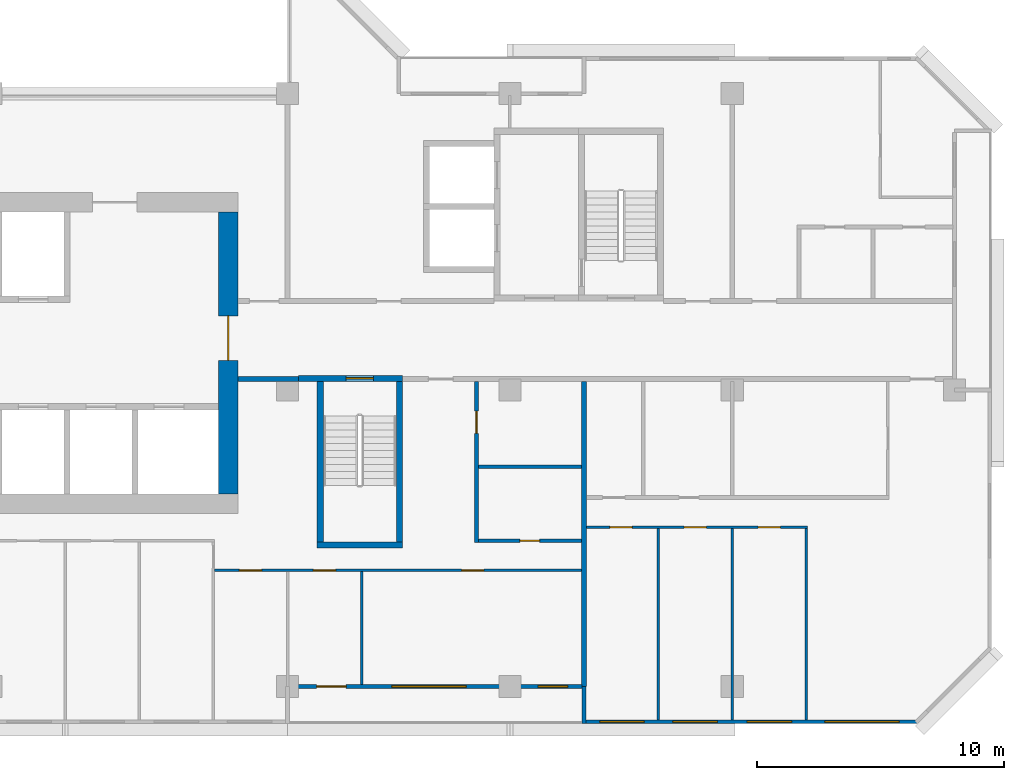
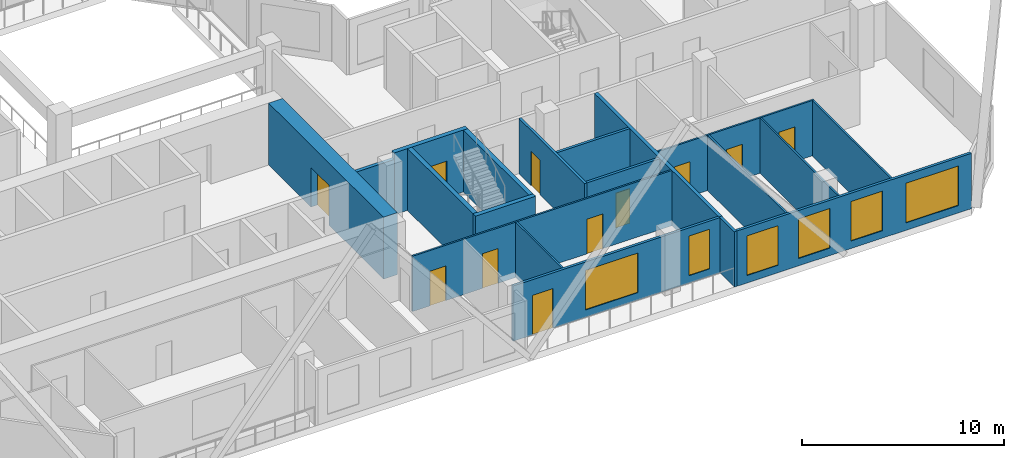
# One storey, part 6 of 15: 19 walls, 11 doors, 6 windows, 17 openings.
"""IFC4 building model written with IfcOpenShell, lengths in metres."""

from ifc_helpers import new_model, si_unit, direction, frame, frame_2d, origin, place, context, subcontext, project, spatial, rectangle, extrude, material, layer, layer_set, type_object, element, fill, save


model = new_model("IFC4")

# Units and contexts
model_context = context("Model", 3, precision=1e-05, world=origin(), true_north=direction((0.0, 1.0)))
body_context = subcontext(model_context, "Body", "Model", "MODEL_VIEW")
ifc_project = project(units=[si_unit("LENGTHUNIT", "METRE"), si_unit("AREAUNIT", "SQUARE_METRE"), si_unit("VOLUMEUNIT", "CUBIC_METRE"), si_unit("PLANEANGLEUNIT", "RADIAN"), si_unit("MASSUNIT", "GRAM", prefix="KILO")], contexts=[model_context])

# Site, building, storey
site_placement = place(None, origin())
site = spatial("IfcSite", under=ifc_project, at=site_placement, CompositionType="ELEMENT")
building_placement = place(site_placement, origin())
building = spatial("IfcBuilding", under=site, at=building_placement, Name="Chenar Terraces", CompositionType="ELEMENT")
storey_placement = place(building_placement, frame((0.0, 0.0, 194.89990234375)))
storey = spatial("IfcBuildingStorey", under=building, at=storey_placement, Name="L45", CompositionType="ELEMENT", Elevation=194.89990234375)

# Wall
ifc_material_1 = material(Name="Concrete C60/75", Category="concrete")
ifc_layer_1 = layer(ifc_material_1, 0.25)
ifc_layer_set_1 = layer_set([ifc_layer_1], Name="Concrete C60/75")
wall_type_1 = type_object("IfcWallType", Name="Core wall 250 Concrete C60/75", PredefinedType="SHEAR", material=ifc_layer_set_1)
wall_1_placement = place(storey_placement, frame((37.199951171875, 5.72509765625, 0.0), z_axis=(0.0, 0.0, 1.0), x_axis=(1.0, 0.0, 0.0)))
element("IfcWall", 1, at=wall_1_placement, inside=storey, type_object=wall_type_1, Name="Core wall ST2_S L45", PredefinedType="SHEAR", context=body_context, shape_type="SweptSolid", body=[
    extrude(rectangle(XDim=3.449951171875, YDim=0.25, at=frame_2d((1.72509765625, 0.0))), origin(), (0.0, 0.0, 1.0), 3.75),
])

# Wall, opening, door
wall_2_placement = place(storey_placement, frame((36.449951171875, 12.47509765625, 0.0), z_axis=(0.0, 0.0, 1.0), x_axis=(1.0, 0.0, 0.0)))
wall_2 = element("IfcWall", 2, at=wall_2_placement, inside=storey, type_object=wall_type_1, Name="Core wall ST2_N L45", PredefinedType="SHEAR", context=body_context, shape_type="SweptSolid", body=[
    extrude(rectangle(XDim=4.199951171875, YDim=0.25, at=frame_2d((2.10009765625, 0.0))), origin(), (0.0, 0.0, 1.0), 3.75),
])
opening_1_placement = place(wall_2_placement, frame((1.925048828125, 0.0, 0.0)))
opening_1 = element("IfcOpeningElement", 3, at=opening_1_placement, cuts=wall_2, Name="Opening DL45-C7", PredefinedType="OPENING", context=body_context, shape_type="SweptSolid", body=[
    extrude(rectangle(XDim=1.10009765625, YDim=2.199951171875, at=frame_2d((0.550048828125, 1.10009765625))), frame((0.0, 0.135009765625, 0.0), z_axis=(0.0, -1.0, 0.0), x_axis=(1.0, 0.0, 0.0)), (0.0, 0.0, 1.0), 0.27001953125),
])
ifc_material_2 = material(Name="Steel-framed fire-resisting door leaf", Category="steel")
door_type_1 = type_object("IfcDoorType", Name="Stair fire door FD60 1100 x 2200", OperationType="SINGLE_SWING_LEFT", PredefinedType="DOOR", material=ifc_material_2)
door_1_placement = place(opening_1_placement, frame((1.10009765625, 0.0, 0.0), z_axis=(0.0, 0.0, 1.0), x_axis=(-1.0, 0.0, 0.0)))
door_1 = element("IfcDoor", 4, at=door_1_placement, inside=storey, type_object=door_type_1, Name="Stair door DL45-C7", OperationType="SINGLE_SWING_RIGHT", OverallHeight=2.199951171875, OverallWidth=1.10009765625, PredefinedType="DOOR", context=body_context, shape_type="SweptSolid", body=[
    extrude(rectangle(XDim=1.10009765625, YDim=2.199951171875, at=frame_2d((0.550048828125, 1.10009765625))), frame((0.0, 0.02490234375, 0.0), z_axis=(0.0, -1.0, 0.0), x_axis=(1.0, 0.0, 0.0)), (0.0, 0.0, 1.0), 0.050048828125),
])
fill(opening_1, door_1)

# Walls
for number, where, z_axis, x_axis, name in (
    (5, (37.324951171875, 5.85009765625, 0.0), (0.0, 0.0, 1.0), (0.0, 1.0, 0.0), "Core wall ST2_W L45"),
    (6, (40.52490234375, 5.85009765625, 0.0), (0.0, 0.0, 1.0), (0.0, 1.0, 0.0), "Core wall ST2_E L45"),
):
    element("IfcWall", number, at=place(storey_placement, frame(where, z_axis=z_axis, x_axis=x_axis)), inside=storey, type_object=wall_type_1, Name=name, PredefinedType="SHEAR", context=body_context, shape_type="SweptSolid", body=[
        extrude(rectangle(XDim=6.5, YDim=0.25, at=frame_2d((3.25, 0.0))), origin(), (0.0, 0.0, 1.0), 3.75),
    ])

# Wall, opening, door
ifc_material_3 = material(Name="Concrete C60/75", Category="concrete")
ifc_layer_2 = layer(ifc_material_3, 0.800048828125)
ifc_layer_set_2 = layer_set([ifc_layer_2], Name="Concrete C60/75")
wall_type_2 = type_object("IfcWallType", Name="Core wall 800 Concrete C60/75", PredefinedType="SHEAR", material=ifc_layer_set_2)
wall_3_placement = place(storey_placement, frame((33.60009765625, 7.800048828125, 0.0), z_axis=(0.0, 0.0, 1.0), x_axis=(0.0, 1.0, 0.0)))
wall_3 = element("IfcWall", 7, at=wall_3_placement, inside=storey, type_object=wall_type_2, Name="Core wall E L45", PredefinedType="SHEAR", context=body_context, shape_type="SweptSolid", body=[
    extrude(rectangle(XDim=11.39990234375, YDim=0.800048828125, at=frame_2d((5.699951171875, 0.0))), origin(), (0.0, 0.0, 1.0), 3.75),
])
opening_2_placement = place(wall_3_placement, frame((5.39990234375, 0.0, 0.0)))
opening_2 = element("IfcOpeningElement", 8, at=opening_2_placement, cuts=wall_3, Name="Opening DL45-C1", PredefinedType="OPENING", context=body_context, shape_type="SweptSolid", body=[
    extrude(rectangle(XDim=1.800048828125, YDim=2.39990234375, at=frame_2d((0.89990234375, 1.199951171875))), frame((0.0, 0.409912109375, 0.0), z_axis=(0.0, -1.0, 0.0), x_axis=(1.0, 0.0, 0.0)), (0.0, 0.0, 1.0), 0.820068359375),
])
ifc_material_4 = material(Name="Steel-framed fire-resisting door leaf", Category="steel")
door_type_2 = type_object("IfcDoorType", Name="Core entrance double fire door FD60 1800 x 2400", OperationType="DOUBLE_DOOR_SINGLE_SWING", PredefinedType="DOOR", material=ifc_material_4)
door_2_placement = place(opening_2_placement, origin())
door_2 = element("IfcDoor", 9, at=door_2_placement, inside=storey, type_object=door_type_2, Name="Core door DL45-C1", OperationType="DOUBLE_DOOR_SINGLE_SWING", OverallHeight=2.39990234375, OverallWidth=1.800048828125, PredefinedType="DOOR", context=body_context, shape_type="SweptSolid", body=[
    extrude(rectangle(XDim=1.800048828125, YDim=2.39990234375, at=frame_2d((0.89990234375, 1.199951171875))), frame((0.0, 0.02490234375, 0.0), z_axis=(0.0, -1.0, 0.0), x_axis=(1.0, 0.0, 0.0)), (0.0, 0.0, 1.0), 0.050048828125),
])
fill(opening_2, door_2)

# Wall
ifc_material_5 = material(Name="Gypsum board on steel studs with fire boards", Category="steel")
ifc_layer_3 = layer(ifc_material_5, 0.199951171875)
ifc_layer_set_3 = layer_set([ifc_layer_3], Name="Gypsum board on steel studs with fire boards")
wall_type_3 = type_object("IfcWallType", Name="Corridor wall 200", PredefinedType="PARTITIONING", material=ifc_layer_set_3)
wall_4_placement = place(storey_placement, frame((34.0, 12.449951171875, 0.0), z_axis=(0.0, 0.0, 1.0), x_axis=(1.0, 0.0, 0.0)))
element("IfcWall", 10, at=wall_4_placement, inside=storey, type_object=wall_type_3, Name="Partition L45-064", PredefinedType="PARTITIONING", context=body_context, shape_type="SweptSolid", body=[
    extrude(rectangle(XDim=2.450927734375, YDim=0.199951171875, at=frame_2d((1.2255859375, 0.0))), origin(), (0.0, 0.0, 1.0), 3.35009765625),
])

# Wall, openings, windows
ifc_material_6 = material(Name="Aluminium framed glazing", Category="aluminium")
ifc_layer_4 = layer(ifc_material_6, 0.14990234375)
ifc_layer_set_4 = layer_set([ifc_layer_4], Name="Aluminium framed glazing")
wall_type_4 = type_object("IfcWallType", Name="Glazed flush facade wall 150", PredefinedType="SOLIDWALL", material=ifc_layer_set_4)
wall_5_placement = place(storey_placement, frame((48.074951171875, -1.425048828125, 0.0), z_axis=(0.0, 0.0, 1.0), x_axis=(1.0, 0.0, 0.0)))
wall_5 = element("IfcWall", 11, at=wall_5_placement, inside=storey, type_object=wall_type_4, Name="Glazed flush facade wall", PredefinedType="SOLIDWALL", context=body_context, shape_type="SweptSolid", body=[
    extrude(rectangle(XDim=13.425048828125, YDim=0.14990234375, at=frame_2d((6.71240234375, 0.0))), origin(), (0.0, 0.0, 1.0), 3.35009765625),
])
opening_3_placement = place(wall_5_placement, frame((0.5625, 0.0, 0.449951171875)))
opening_3 = element("IfcOpeningElement", 12, at=opening_3_placement, cuts=wall_5, Name="Opening W180x240", PredefinedType="OPENING", context=body_context, shape_type="SweptSolid", body=[
    extrude(rectangle(XDim=1.800048828125, YDim=2.39990234375, at=frame_2d((0.89990234375, 1.199951171875))), frame((0.0, 0.0849609375, 0.0), z_axis=(0.0, -1.0, 0.0), x_axis=(1.0, 0.0, 0.0)), (0.0, 0.0, 1.0), 0.169921875),
])
opening_4_placement = place(wall_5_placement, frame((3.52490234375, 0.0, 0.449951171875)))
opening_4 = element("IfcOpeningElement", 13, at=opening_4_placement, cuts=wall_5, Name="Opening W180x240", PredefinedType="OPENING", context=body_context, shape_type="SweptSolid", body=[
    extrude(rectangle(XDim=1.800048828125, YDim=2.39990234375, at=frame_2d((0.89990234375, 1.199951171875))), frame((0.0, 0.0849609375, 0.0), z_axis=(0.0, -1.0, 0.0), x_axis=(1.0, 0.0, 0.0)), (0.0, 0.0, 1.0), 0.169921875),
])
opening_5_placement = place(wall_5_placement, frame((6.52490234375, 0.0, 0.449951171875)))
opening_5 = element("IfcOpeningElement", 14, at=opening_5_placement, cuts=wall_5, Name="Opening W180x240", PredefinedType="OPENING", context=body_context, shape_type="SweptSolid", body=[
    extrude(rectangle(XDim=1.800048828125, YDim=2.39990234375, at=frame_2d((0.89990234375, 1.199951171875))), frame((0.0, 0.0849609375, 0.0), z_axis=(0.0, -1.0, 0.0), x_axis=(1.0, 0.0, 0.0)), (0.0, 0.0, 1.0), 0.169921875),
])
opening_6_placement = place(wall_5_placement, frame((9.675048828125, 0.0, 0.449951171875)))
opening_6 = element("IfcOpeningElement", 15, at=opening_6_placement, cuts=wall_5, Name="Opening W300x240", PredefinedType="OPENING", context=body_context, shape_type="SweptSolid", body=[
    extrude(rectangle(XDim=3.0, YDim=2.39990234375, at=frame_2d((1.5, 1.199951171875))), frame((0.0, 0.0849609375, 0.0), z_axis=(0.0, -1.0, 0.0), x_axis=(1.0, 0.0, 0.0)), (0.0, 0.0, 1.0), 0.169921875),
])
ifc_material_7 = material(Name="Low emissivity double glazing, aluminium frame", Category="aluminium")
window_type_1 = type_object("IfcWindowType", Name="Fixed light 1800 x 2400", PartitioningType="SINGLE_PANEL", PredefinedType="WINDOW", material=ifc_material_7)
window_1_placement = place(opening_3_placement, origin())
window_1 = element("IfcWindow", 16, at=window_1_placement, inside=storey, type_object=window_type_1, Name="Window", OverallHeight=2.39990234375, OverallWidth=1.800048828125, PartitioningType="SINGLE_PANEL", PredefinedType="WINDOW", context=body_context, shape_type="SweptSolid", body=[
    extrude(rectangle(XDim=1.800048828125, YDim=2.39990234375, at=frame_2d((0.89990234375, 1.199951171875))), frame((0.0, 0.030029296875, 0.0), z_axis=(0.0, -1.0, 0.0), x_axis=(1.0, 0.0, 0.0)), (0.0, 0.0, 1.0), 0.06005859375),
])
fill(opening_3, window_1)
window_2_placement = place(opening_4_placement, origin())
window_2 = element("IfcWindow", 17, at=window_2_placement, inside=storey, type_object=window_type_1, Name="Window", OverallHeight=2.39990234375, OverallWidth=1.800048828125, PartitioningType="SINGLE_PANEL", PredefinedType="WINDOW", context=body_context, shape_type="SweptSolid", body=[
    extrude(rectangle(XDim=1.800048828125, YDim=2.39990234375, at=frame_2d((0.89990234375, 1.199951171875))), frame((0.0, 0.030029296875, 0.0), z_axis=(0.0, -1.0, 0.0), x_axis=(1.0, 0.0, 0.0)), (0.0, 0.0, 1.0), 0.06005859375),
])
fill(opening_4, window_2)
window_3_placement = place(opening_5_placement, origin())
window_3 = element("IfcWindow", 18, at=window_3_placement, inside=storey, type_object=window_type_1, Name="Window", OverallHeight=2.39990234375, OverallWidth=1.800048828125, PartitioningType="SINGLE_PANEL", PredefinedType="WINDOW", context=body_context, shape_type="SweptSolid", body=[
    extrude(rectangle(XDim=1.800048828125, YDim=2.39990234375, at=frame_2d((0.89990234375, 1.199951171875))), frame((0.0, 0.030029296875, 0.0), z_axis=(0.0, -1.0, 0.0), x_axis=(1.0, 0.0, 0.0)), (0.0, 0.0, 1.0), 0.06005859375),
])
fill(opening_5, window_3)
ifc_material_8 = material(Name="Low emissivity double glazing, aluminium frame", Category="aluminium")
window_type_2 = type_object("IfcWindowType", Name="Fixed light 3000 x 2400", PartitioningType="SINGLE_PANEL", PredefinedType="WINDOW", material=ifc_material_8)
window_4_placement = place(opening_6_placement, origin())
window_4 = element("IfcWindow", 19, at=window_4_placement, inside=storey, type_object=window_type_2, Name="Window", OverallHeight=2.39990234375, OverallWidth=3.0, PartitioningType="SINGLE_PANEL", PredefinedType="WINDOW", context=body_context, shape_type="SweptSolid", body=[
    extrude(rectangle(XDim=3.0, YDim=2.39990234375, at=frame_2d((1.5, 1.199951171875))), frame((0.0, 0.030029296875, 0.0), z_axis=(0.0, -1.0, 0.0), x_axis=(1.0, 0.0, 0.0)), (0.0, 0.0, 1.0), 0.06005859375),
])
fill(opening_6, window_4)

# Wall, openings, windows, door
ifc_material_9 = material(Name="Aluminium framed glazing", Category="aluminium")
ifc_layer_5 = layer(ifc_material_9, 0.14990234375)
ifc_layer_set_5 = layer_set([ifc_layer_5], Name="Aluminium framed glazing")
wall_type_5 = type_object("IfcWallType", Name="Glazed loggia back wall 150", PredefinedType="SOLIDWALL", material=ifc_layer_set_5)
wall_6_placement = place(storey_placement, frame((36.074951171875, 0.0, 0.0), z_axis=(0.0, 0.0, 1.0), x_axis=(1.0, 0.0, 0.0)))
wall_6 = element("IfcWall", 20, at=wall_6_placement, inside=storey, type_object=wall_type_5, Name="Glazed loggia back wall", PredefinedType="SOLIDWALL", context=body_context, shape_type="SweptSolid", body=[
    extrude(rectangle(XDim=11.85009765625, YDim=0.14990234375, at=frame_2d((5.925048828125, 0.0))), origin(), (0.0, 0.0, 1.0), 3.35009765625),
])
opening_7_placement = place(wall_6_placement, frame((1.10009765625, 0.0, 0.0)))
opening_7 = element("IfcOpeningElement", 21, at=opening_7_placement, cuts=wall_6, Name="Opening DL45-G6", PredefinedType="OPENING", context=body_context, shape_type="SweptSolid", body=[
    extrude(rectangle(XDim=1.199951171875, YDim=2.39990234375, at=frame_2d((0.60009765625, 1.199951171875))), frame((0.0, 0.0849609375, 0.0), z_axis=(0.0, -1.0, 0.0), x_axis=(1.0, 0.0, 0.0)), (0.0, 0.0, 1.0), 0.169921875),
])
opening_8_placement = place(wall_6_placement, frame((4.14990234375, 0.0, 0.449951171875)))
opening_8 = element("IfcOpeningElement", 22, at=opening_8_placement, cuts=wall_6, Name="Opening W300x240", PredefinedType="OPENING", context=body_context, shape_type="SweptSolid", body=[
    extrude(rectangle(XDim=3.0, YDim=2.39990234375, at=frame_2d((1.5, 1.199951171875))), frame((0.0, 0.0849609375, 0.0), z_axis=(0.0, -1.0, 0.0), x_axis=(1.0, 0.0, 0.0)), (0.0, 0.0, 1.0), 0.169921875),
])
opening_9_placement = place(wall_6_placement, frame((10.0625, 0.0, 0.449951171875)))
opening_9 = element("IfcOpeningElement", 23, at=opening_9_placement, cuts=wall_6, Name="Opening W120x240", PredefinedType="OPENING", context=body_context, shape_type="SweptSolid", body=[
    extrude(rectangle(XDim=1.199951171875, YDim=2.39990234375, at=frame_2d((0.60009765625, 1.199951171875))), frame((0.0, 0.0849609375, 0.0), z_axis=(0.0, -1.0, 0.0), x_axis=(1.0, 0.0, 0.0)), (0.0, 0.0, 1.0), 0.169921875),
])
ifc_material_10 = material(Name="Low emissivity double glazing, aluminium frame", Category="aluminium")
window_type_3 = type_object("IfcWindowType", Name="Fixed light 1200 x 2400", PartitioningType="SINGLE_PANEL", PredefinedType="WINDOW", material=ifc_material_10)
window_5_placement = place(opening_9_placement, origin())
window_5 = element("IfcWindow", 24, at=window_5_placement, inside=storey, type_object=window_type_3, Name="Window", OverallHeight=2.39990234375, OverallWidth=1.199951171875, PartitioningType="SINGLE_PANEL", PredefinedType="WINDOW", context=body_context, shape_type="SweptSolid", body=[
    extrude(rectangle(XDim=1.199951171875, YDim=2.39990234375, at=frame_2d((0.60009765625, 1.199951171875))), frame((0.0, 0.030029296875, 0.0), z_axis=(0.0, -1.0, 0.0), x_axis=(1.0, 0.0, 0.0)), (0.0, 0.0, 1.0), 0.06005859375),
])
fill(opening_9, window_5)
window_6_placement = place(opening_8_placement, origin())
window_6 = element("IfcWindow", 25, at=window_6_placement, inside=storey, type_object=window_type_2, Name="Window", OverallHeight=2.39990234375, OverallWidth=3.0, PartitioningType="SINGLE_PANEL", PredefinedType="WINDOW", context=body_context, shape_type="SweptSolid", body=[
    extrude(rectangle(XDim=3.0, YDim=2.39990234375, at=frame_2d((1.5, 1.199951171875))), frame((0.0, 0.030029296875, 0.0), z_axis=(0.0, -1.0, 0.0), x_axis=(1.0, 0.0, 0.0)), (0.0, 0.0, 1.0), 0.06005859375),
])
fill(opening_8, window_6)
ifc_material_11 = material(Name="Low emissivity double glazing, aluminium frame", Category="aluminium")
door_type_3 = type_object("IfcDoorType", Name="Loggia glazed double door 1200 x 2400", OperationType="DOUBLE_DOOR_SINGLE_SWING", PredefinedType="DOOR", material=ifc_material_11)
door_3_placement = place(opening_7_placement, frame((1.199951171875, 0.0, 0.0), z_axis=(0.0, 0.0, 1.0), x_axis=(-1.0, 0.0, 0.0)))
door_3 = element("IfcDoor", 26, at=door_3_placement, inside=storey, type_object=door_type_3, Name="Loggia glazed door", OperationType="DOUBLE_DOOR_SINGLE_SWING", OverallHeight=2.39990234375, OverallWidth=1.199951171875, PredefinedType="DOOR", context=body_context, shape_type="SweptSolid", body=[
    extrude(rectangle(XDim=1.199951171875, YDim=2.39990234375, at=frame_2d((0.60009765625, 1.199951171875))), frame((0.0, 0.02490234375, 0.0), z_axis=(0.0, -1.0, 0.0), x_axis=(1.0, 0.0, 0.0)), (0.0, 0.0, 1.0), 0.050048828125),
])
fill(opening_7, door_3)

# Wall, openings, doors
ifc_material_12 = material(Name="Gypsum board on steel studs", Category="steel")
ifc_layer_6 = layer(ifc_material_12, 0.10009765625)
ifc_layer_set_6 = layer_set([ifc_layer_6], Name="Gypsum board on steel studs")
wall_type_6 = type_object("IfcWallType", Name="Gypsum partition 100", PredefinedType="PARTITIONING", material=ifc_layer_set_6)
wall_7_placement = place(storey_placement, frame((33.050048828125, 4.699951171875, 0.0), z_axis=(0.0, 0.0, 1.0), x_axis=(1.0, 0.0, 0.0)))
wall_7 = element("IfcWall", 27, at=wall_7_placement, inside=storey, type_object=wall_type_6, Name="Partition L45-063", PredefinedType="PARTITIONING", context=body_context, shape_type="SweptSolid", body=[
    extrude(rectangle(XDim=14.849853515625, YDim=0.10009765625, at=frame_2d((7.4248046875, 0.0))), origin(), (0.0, 0.0, 1.0), 3.35009765625),
])
opening_10_placement = place(wall_7_placement, frame((1.0, 0.0, 0.0)))
opening_10 = element("IfcOpeningElement", 28, at=opening_10_placement, cuts=wall_7, Name="Opening DL45-48", PredefinedType="OPENING", context=body_context, shape_type="SweptSolid", body=[
    extrude(rectangle(XDim=0.89990234375, YDim=2.10009765625, at=frame_2d((0.449951171875, 1.050048828125))), frame((0.0, 0.06005859375, 0.0), z_axis=(0.0, -1.0, 0.0), x_axis=(1.0, 0.0, 0.0)), (0.0, 0.0, 1.0), 0.1201171875),
])
opening_11_placement = place(wall_7_placement, frame((4.0, 0.0, 0.0)))
opening_11 = element("IfcOpeningElement", 29, at=opening_11_placement, cuts=wall_7, Name="Opening DL45-49", PredefinedType="OPENING", context=body_context, shape_type="SweptSolid", body=[
    extrude(rectangle(XDim=0.89990234375, YDim=2.10009765625, at=frame_2d((0.449951171875, 1.050048828125))), frame((0.0, 0.06005859375, 0.0), z_axis=(0.0, -1.0, 0.0), x_axis=(1.0, 0.0, 0.0)), (0.0, 0.0, 1.0), 0.1201171875),
])
opening_12_placement = place(wall_7_placement, frame((10.0, 0.0, 0.0)))
opening_12 = element("IfcOpeningElement", 30, at=opening_12_placement, cuts=wall_7, Name="Opening DL45-55", PredefinedType="OPENING", context=body_context, shape_type="SweptSolid", body=[
    extrude(rectangle(XDim=0.89990234375, YDim=2.10009765625, at=frame_2d((0.449951171875, 1.050048828125))), frame((0.0, 0.06005859375, 0.0), z_axis=(0.0, -1.0, 0.0), x_axis=(1.0, 0.0, 0.0)), (0.0, 0.0, 1.0), 0.1201171875),
])
ifc_material_13 = material(Name="Veneered timber door leaf", Category="wood")
door_type_4 = type_object("IfcDoorType", Name="Door 900 x 2100", OperationType="SINGLE_SWING_LEFT", PredefinedType="DOOR", material=ifc_material_13)
door_4_placement = place(opening_10_placement, frame((0.89990234375, 0.0, 0.0), z_axis=(0.0, 0.0, 1.0), x_axis=(-1.0, 0.0, 0.0)))
door_4 = element("IfcDoor", 31, at=door_4_placement, inside=storey, type_object=door_type_4, Name="Door DL45-48", OperationType="SINGLE_SWING_LEFT", OverallHeight=2.10009765625, OverallWidth=0.89990234375, PredefinedType="DOOR", context=body_context, shape_type="SweptSolid", body=[
    extrude(rectangle(XDim=0.89990234375, YDim=2.10009765625, at=frame_2d((0.449951171875, 1.050048828125))), frame((0.0, 0.02490234375, 0.0), z_axis=(0.0, -1.0, 0.0), x_axis=(1.0, 0.0, 0.0)), (0.0, 0.0, 1.0), 0.050048828125),
])
fill(opening_10, door_4)
door_5_placement = place(opening_11_placement, frame((0.89990234375, 0.0, 0.0), z_axis=(0.0, 0.0, 1.0), x_axis=(-1.0, 0.0, 0.0)))
door_5 = element("IfcDoor", 32, at=door_5_placement, inside=storey, type_object=door_type_4, Name="Door DL45-49", OperationType="SINGLE_SWING_LEFT", OverallHeight=2.10009765625, OverallWidth=0.89990234375, PredefinedType="DOOR", context=body_context, shape_type="SweptSolid", body=[
    extrude(rectangle(XDim=0.89990234375, YDim=2.10009765625, at=frame_2d((0.449951171875, 1.050048828125))), frame((0.0, 0.02490234375, 0.0), z_axis=(0.0, -1.0, 0.0), x_axis=(1.0, 0.0, 0.0)), (0.0, 0.0, 1.0), 0.050048828125),
])
fill(opening_11, door_5)
door_6_placement = place(opening_12_placement, frame((0.89990234375, 0.0, 0.0), z_axis=(0.0, 0.0, 1.0), x_axis=(-1.0, 0.0, 0.0)))
door_6 = element("IfcDoor", 33, at=door_6_placement, inside=storey, type_object=door_type_4, Name="Door DL45-55", OperationType="SINGLE_SWING_LEFT", OverallHeight=2.10009765625, OverallWidth=0.89990234375, PredefinedType="DOOR", context=body_context, shape_type="SweptSolid", body=[
    extrude(rectangle(XDim=0.89990234375, YDim=2.10009765625, at=frame_2d((0.449951171875, 1.050048828125))), frame((0.0, 0.02490234375, 0.0), z_axis=(0.0, -1.0, 0.0), x_axis=(1.0, 0.0, 0.0)), (0.0, 0.0, 1.0), 0.050048828125),
])
fill(opening_12, door_6)

# Wall
wall_8_placement = place(storey_placement, frame((39.0, 0.073974609375, 0.0), z_axis=(0.0, 0.0, 1.0), x_axis=(0.0, 1.0, 0.0)))
element("IfcWall", 34, at=wall_8_placement, inside=storey, type_object=wall_type_6, Name="Partition L45-068", PredefinedType="PARTITIONING", context=body_context, shape_type="SweptSolid", body=[
    extrude(rectangle(XDim=4.575927734375, YDim=0.10009765625, at=frame_2d((2.2880859375, 0.0))), origin(), (0.0, 0.0, 1.0), 3.35009765625),
])

# Wall, openings, doors
wall_9_placement = place(storey_placement, frame((48.10009765625, 6.449951171875, 0.0), z_axis=(0.0, 0.0, 1.0), x_axis=(1.0, 0.0, 0.0)))
wall_9 = element("IfcWall", 35, at=wall_9_placement, inside=storey, type_object=wall_type_6, Name="Partition L45-075", PredefinedType="PARTITIONING", context=body_context, shape_type="SweptSolid", body=[
    extrude(rectangle(XDim=8.949951171875, YDim=0.10009765625, at=frame_2d((4.47509765625, 0.0))), origin(), (0.0, 0.0, 1.0), 3.35009765625),
])
opening_13_placement = place(wall_9_placement, frame((0.949951171875, 0.0, 0.0)))
opening_13 = element("IfcOpeningElement", 36, at=opening_13_placement, cuts=wall_9, Name="Opening DL45-9", PredefinedType="OPENING", context=body_context, shape_type="SweptSolid", body=[
    extrude(rectangle(XDim=0.89990234375, YDim=2.10009765625, at=frame_2d((0.449951171875, 1.050048828125))), frame((0.0, 0.06005859375, 0.0), z_axis=(0.0, -1.0, 0.0), x_axis=(1.0, 0.0, 0.0)), (0.0, 0.0, 1.0), 0.1201171875),
])
opening_14_placement = place(wall_9_placement, frame((3.949951171875, 0.0, 0.0)))
opening_14 = element("IfcOpeningElement", 37, at=opening_14_placement, cuts=wall_9, Name="Opening DL45-10", PredefinedType="OPENING", context=body_context, shape_type="SweptSolid", body=[
    extrude(rectangle(XDim=0.89990234375, YDim=2.10009765625, at=frame_2d((0.449951171875, 1.050048828125))), frame((0.0, 0.06005859375, 0.0), z_axis=(0.0, -1.0, 0.0), x_axis=(1.0, 0.0, 0.0)), (0.0, 0.0, 1.0), 0.1201171875),
])
opening_15_placement = place(wall_9_placement, frame((6.949951171875, 0.0, 0.0)))
opening_15 = element("IfcOpeningElement", 38, at=opening_15_placement, cuts=wall_9, Name="Opening DL45-11", PredefinedType="OPENING", context=body_context, shape_type="SweptSolid", body=[
    extrude(rectangle(XDim=0.89990234375, YDim=2.10009765625, at=frame_2d((0.449951171875, 1.050048828125))), frame((0.0, 0.06005859375, 0.0), z_axis=(0.0, -1.0, 0.0), x_axis=(1.0, 0.0, 0.0)), (0.0, 0.0, 1.0), 0.1201171875),
])
door_7_placement = place(opening_13_placement, frame((0.89990234375, 0.0, 0.0), z_axis=(0.0, 0.0, 1.0), x_axis=(-1.0, 0.0, 0.0)))
door_7 = element("IfcDoor", 39, at=door_7_placement, inside=storey, type_object=door_type_4, Name="Door DL45-9", OperationType="SINGLE_SWING_LEFT", OverallHeight=2.10009765625, OverallWidth=0.89990234375, PredefinedType="DOOR", context=body_context, shape_type="SweptSolid", body=[
    extrude(rectangle(XDim=0.89990234375, YDim=2.10009765625, at=frame_2d((0.449951171875, 1.050048828125))), frame((0.0, 0.02490234375, 0.0), z_axis=(0.0, -1.0, 0.0), x_axis=(1.0, 0.0, 0.0)), (0.0, 0.0, 1.0), 0.050048828125),
])
fill(opening_13, door_7)
door_8_placement = place(opening_14_placement, frame((0.89990234375, 0.0, 0.0), z_axis=(0.0, 0.0, 1.0), x_axis=(-1.0, 0.0, 0.0)))
door_8 = element("IfcDoor", 40, at=door_8_placement, inside=storey, type_object=door_type_4, Name="Door DL45-10", OperationType="SINGLE_SWING_LEFT", OverallHeight=2.10009765625, OverallWidth=0.89990234375, PredefinedType="DOOR", context=body_context, shape_type="SweptSolid", body=[
    extrude(rectangle(XDim=0.89990234375, YDim=2.10009765625, at=frame_2d((0.449951171875, 1.050048828125))), frame((0.0, 0.02490234375, 0.0), z_axis=(0.0, -1.0, 0.0), x_axis=(1.0, 0.0, 0.0)), (0.0, 0.0, 1.0), 0.050048828125),
])
fill(opening_14, door_8)
door_9_placement = place(opening_15_placement, frame((0.89990234375, 0.0, 0.0), z_axis=(0.0, 0.0, 1.0), x_axis=(-1.0, 0.0, 0.0)))
door_9 = element("IfcDoor", 41, at=door_9_placement, inside=storey, type_object=door_type_4, Name="Door DL45-11", OperationType="SINGLE_SWING_LEFT", OverallHeight=2.10009765625, OverallWidth=0.89990234375, PredefinedType="DOOR", context=body_context, shape_type="SweptSolid", body=[
    extrude(rectangle(XDim=0.89990234375, YDim=2.10009765625, at=frame_2d((0.449951171875, 1.050048828125))), frame((0.0, 0.02490234375, 0.0), z_axis=(0.0, -1.0, 0.0), x_axis=(1.0, 0.0, 0.0)), (0.0, 0.0, 1.0), 0.050048828125),
])
fill(opening_15, door_9)

# Walls
for number, where, z_axis, x_axis, name in (
    (42, (51.0, -1.35107421875, 0.0), (0.0, 0.0, 1.0), (0.0, 1.0, 0.0), "Partition L45-078"),
    (43, (54.0, -1.35107421875, 0.0), (0.0, 0.0, 1.0), (0.0, 1.0, 0.0), "Partition L45-080"),
):
    element("IfcWall", number, at=place(storey_placement, frame(where, z_axis=z_axis, x_axis=x_axis)), inside=storey, type_object=wall_type_6, Name=name, PredefinedType="PARTITIONING", context=body_context, shape_type="SweptSolid", body=[
        extrude(rectangle(XDim=7.7509765625, YDim=0.10009765625, at=frame_2d((3.87548828125, 0.0))), origin(), (0.0, 0.0, 1.0), 3.35009765625),
    ])
wall_10_placement = place(storey_placement, frame((57.0, -1.35009765625, 0.0), z_axis=(0.0, 0.0, 1.0), x_axis=(0.0, 1.0, 0.0)))
element("IfcWall", 44, at=wall_10_placement, inside=storey, type_object=wall_type_6, Name="Partition L45-085", PredefinedType="PARTITIONING", context=body_context, shape_type="SweptSolid", body=[
    extrude(rectangle(XDim=7.75, YDim=0.10009765625, at=frame_2d((3.875, 0.0))), origin(), (0.0, 0.0, 1.0), 3.35009765625),
])
ifc_material_14 = material(Name="Terracotta cladding on insulated backing", Category="masonry")
ifc_layer_7 = layer(ifc_material_14, 0.14990234375)
ifc_layer_set_7 = layer_set([ifc_layer_7], Name="Terracotta cladding on insulated backing")
wall_type_7 = type_object("IfcWallType", Name="Loggia return wall 150", PredefinedType="SOLIDWALL", material=ifc_layer_set_7)
wall_11_placement = place(storey_placement, frame((48.0, -1.5, 0.0), z_axis=(0.0, 0.0, 1.0), x_axis=(0.0, 1.0, 0.0)))
element("IfcWall", 45, at=wall_11_placement, inside=storey, type_object=wall_type_7, Name="Loggia return wall", PredefinedType="SOLIDWALL", context=body_context, shape_type="SweptSolid", body=[
    extrude(rectangle(XDim=1.5, YDim=0.14990234375, at=frame_2d((0.75, 0.0))), origin(), (0.0, 0.0, 1.0), 3.35009765625),
])
ifc_material_15 = material(Name="Twin gypsum board on steel studs with mineral wool", Category="steel")
ifc_layer_8 = layer(ifc_material_15, 0.199951171875)
ifc_layer_set_8 = layer_set([ifc_layer_8], Name="Twin gypsum board on steel studs with mineral wool")
wall_type_8 = type_object("IfcWallType", Name="Unit demising wall 200", PredefinedType="PARTITIONING", material=ifc_layer_set_8)
wall_12_placement = place(storey_placement, frame((48.0, 0.0, 0.0), z_axis=(0.0, 0.0, 1.0), x_axis=(0.0, 1.0, 0.0)))
element("IfcWall", 46, at=wall_12_placement, inside=storey, type_object=wall_type_8, Name="Partition L45-074", PredefinedType="PARTITIONING", context=body_context, shape_type="SweptSolid", body=[
    extrude(rectangle(XDim=12.35009765625, YDim=0.199951171875, at=frame_2d((6.175048828125, 0.0))), origin(), (0.0, 0.0, 1.0), 3.35009765625),
])

# Wall, opening, door
ifc_material_16 = material(Name="Moisture-resistant gypsum board on steel studs", Category="steel")
ifc_layer_9 = layer(ifc_material_16, 0.14990234375)
ifc_layer_set_9 = layer_set([ifc_layer_9], Name="Moisture-resistant gypsum board on steel studs")
wall_type_9 = type_object("IfcWallType", Name="Wet-room partition 150", PredefinedType="PARTITIONING", material=ifc_layer_set_9)
wall_13_placement = place(storey_placement, frame((43.64990234375, 5.824951171875, 0.0), z_axis=(0.0, 0.0, 1.0), x_axis=(0.0, 1.0, 0.0)))
wall_13 = element("IfcWall", 47, at=wall_13_placement, inside=storey, type_object=wall_type_9, Name="Partition L45-070", PredefinedType="PARTITIONING", context=body_context, shape_type="SweptSolid", body=[
    extrude(rectangle(XDim=6.525146484375, YDim=0.14990234375, at=frame_2d((3.2626953125, 0.0))), origin(), (0.0, 0.0, 1.0), 3.35009765625),
])
opening_16_placement = place(wall_13_placement, frame((4.425048828125, 0.0, 0.0)))
opening_16 = element("IfcOpeningElement", 48, at=opening_16_placement, cuts=wall_13, Name="Opening DL45-53", PredefinedType="OPENING", context=body_context, shape_type="SweptSolid", body=[
    extrude(rectangle(XDim=0.89990234375, YDim=2.10009765625, at=frame_2d((0.449951171875, 1.050048828125))), frame((0.0, 0.0849609375, 0.0), z_axis=(0.0, -1.0, 0.0), x_axis=(1.0, 0.0, 0.0)), (0.0, 0.0, 1.0), 0.169921875),
])
door_10_placement = place(opening_16_placement, frame((0.89990234375, 0.0, 0.0), z_axis=(0.0, 0.0, 1.0), x_axis=(-1.0, 0.0, 0.0)))
door_10 = element("IfcDoor", 49, at=door_10_placement, inside=storey, type_object=door_type_4, Name="Door DL45-53", OperationType="SINGLE_SWING_LEFT", OverallHeight=2.10009765625, OverallWidth=0.89990234375, PredefinedType="DOOR", context=body_context, shape_type="SweptSolid", body=[
    extrude(rectangle(XDim=0.89990234375, YDim=2.10009765625, at=frame_2d((0.449951171875, 1.050048828125))), frame((0.0, 0.02490234375, 0.0), z_axis=(0.0, -1.0, 0.0), x_axis=(1.0, 0.0, 0.0)), (0.0, 0.0, 1.0), 0.050048828125),
])
fill(opening_16, door_10)

wall_14_placement = place(storey_placement, frame((43.72509765625, 5.89990234375, 0.0), z_axis=(0.0, 0.0, 1.0), x_axis=(1.0, 0.0, 0.0)))
wall_14 = element("IfcWall", 50, at=wall_14_placement, inside=storey, type_object=wall_type_9, Name="Partition L45-071", PredefinedType="PARTITIONING", context=body_context, shape_type="SweptSolid", body=[
    extrude(rectangle(XDim=4.1748046875, YDim=0.14990234375, at=frame_2d((2.08740234375, 0.0))), origin(), (0.0, 0.0, 1.0), 3.35009765625),
])
opening_17_placement = place(wall_14_placement, frame((1.675048828125, 0.0, 0.0)))
opening_17 = element("IfcOpeningElement", 51, at=opening_17_placement, cuts=wall_14, Name="Opening DL45-43", PredefinedType="OPENING", context=body_context, shape_type="SweptSolid", body=[
    extrude(rectangle(XDim=0.800048828125, YDim=2.10009765625, at=frame_2d((0.39990234375, 1.050048828125))), frame((0.0, 0.0849609375, 0.0), z_axis=(0.0, -1.0, 0.0), x_axis=(1.0, 0.0, 0.0)), (0.0, 0.0, 1.0), 0.169921875),
])
ifc_material_17 = material(Name="Veneered timber door leaf", Category="wood")
door_type_5 = type_object("IfcDoorType", Name="Door 800 x 2100", OperationType="SINGLE_SWING_LEFT", PredefinedType="DOOR", material=ifc_material_17)
door_11_placement = place(opening_17_placement, origin())
door_11 = element("IfcDoor", 52, at=door_11_placement, inside=storey, type_object=door_type_5, Name="Door DL45-43", OperationType="SINGLE_SWING_LEFT", OverallHeight=2.10009765625, OverallWidth=0.800048828125, PredefinedType="DOOR", context=body_context, shape_type="SweptSolid", body=[
    extrude(rectangle(XDim=0.800048828125, YDim=2.10009765625, at=frame_2d((0.39990234375, 1.050048828125))), frame((0.0, 0.02490234375, 0.0), z_axis=(0.0, -1.0, 0.0), x_axis=(1.0, 0.0, 0.0)), (0.0, 0.0, 1.0), 0.050048828125),
])
fill(opening_17, door_11)

# Wall
wall_15_placement = place(storey_placement, frame((43.72509765625, 8.89990234375, 0.0), z_axis=(0.0, 0.0, 1.0), x_axis=(1.0, 0.0, 0.0)))
element("IfcWall", 53, at=wall_15_placement, inside=storey, type_object=wall_type_9, Name="Partition L45-072", PredefinedType="PARTITIONING", context=body_context, shape_type="SweptSolid", body=[
    extrude(rectangle(XDim=4.1748046875, YDim=0.14990234375, at=frame_2d((2.08740234375, 0.0))), origin(), (0.0, 0.0, 1.0), 3.35009765625),
])

save(model, "model.ifc")
